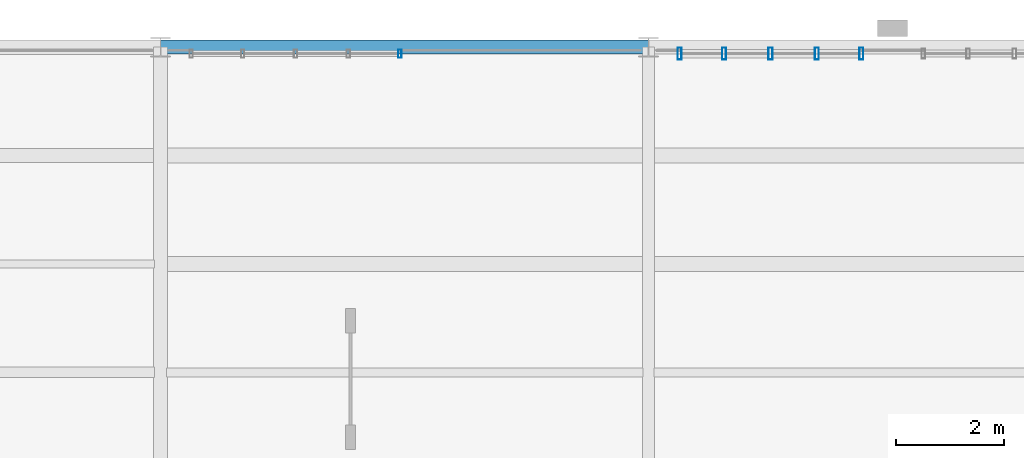
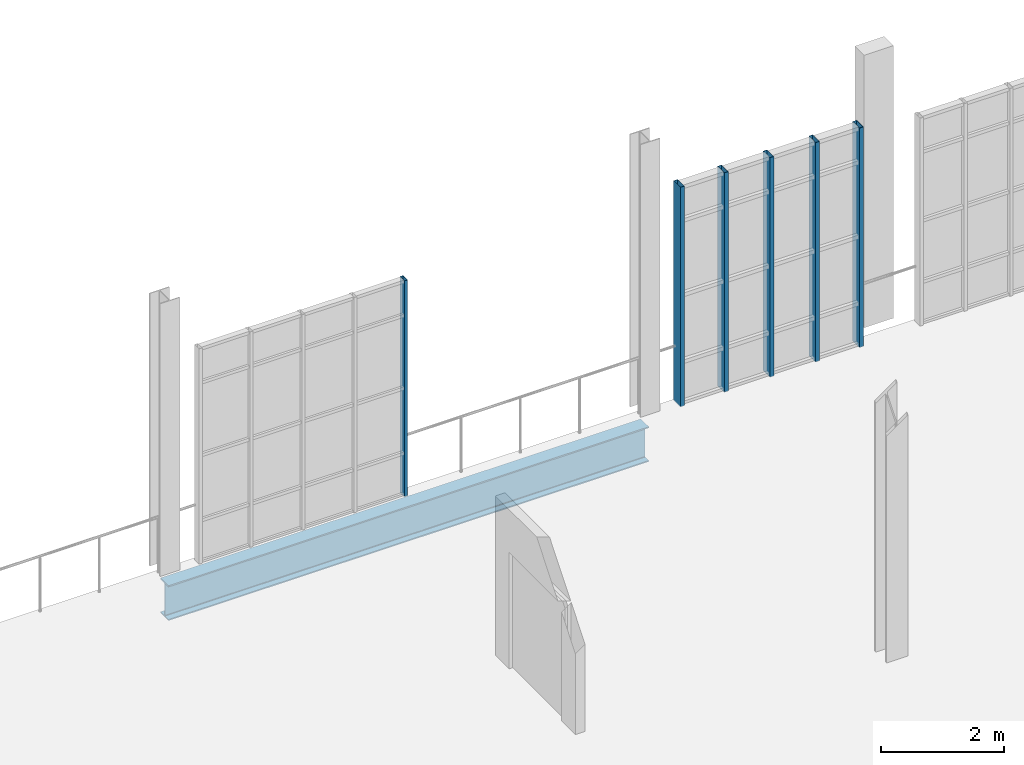
# One storey, part 67 of 142: 6 members, 1 beam, 2 elements without a shape of their own.
"""IFC4 building model written with IfcOpenShell, lengths in metres."""

import ifcopenshell
import ifcopenshell.guid

model = None  # the IFC model being written
_history = None  # IfcOwnerHistory: only IFC2X3 demands one
_inside = {}  # id of a spatial element -> (the spatial element, [elements in it])
_under = {}  # id of a project, library or spatial element -> (it, [spatial elements below it])
_declared = {}  # id of a project -> (the project, [libraries it declares])
_typed = {}  # id of a type object -> (the type object, [elements of that type])
_made_of = {}  # id of a material, layer set ... -> (it, [elements and type objects made of it])


def new_model(schema):
    """Start an empty IFC model of exactly this schema.

    Asked for "IFC4X3", IfcOpenShell would pick the latest addendum, in which some entities
    have other attributes; the version numbers below select the first issue.
    IFC2X3 requires an IfcOwnerHistory on every rooted entity: one is made here for all.
    """
    global model, _history
    if schema == "IFC4X3":
        model = ifcopenshell.file(schema_version=(4, 3, 0, 0))
    else:
        model = ifcopenshell.file(schema=schema)
    _inside.clear()
    _under.clear()
    _declared.clear()
    _typed.clear()
    _made_of.clear()
    _history = None
    if model.schema == "IFC2X3":
        org = make("IfcOrganization", Name="unknown")
        user = make(
            "IfcPersonAndOrganization",
            ThePerson=make("IfcPerson", FamilyName="unknown"),
            TheOrganization=org,
        )
        app = make(
            "IfcApplication",
            ApplicationDeveloper=org,
            Version="unknown",
            ApplicationFullName="unknown",
            ApplicationIdentifier="unknown",
        )
        _history = make(
            "IfcOwnerHistory",
            OwningUser=user,
            OwningApplication=app,
            ChangeAction="ADDED",
            CreationDate=0,
        )
    return model


def make(cls, **values):
    """One entity of the class cls with the attributes given. An attribute that is None is left unset."""
    return model.create_entity(
        cls, **{name: value for name, value in values.items() if value is not None}
    )


def rooted(cls, **values):
    """An entity with a GlobalId (a new one), such as an element, a storey or a relation."""
    return make(cls, GlobalId=ifcopenshell.guid.new(), OwnerHistory=_history, **values)


def si_unit(unit_type, name, prefix=None):
    """IfcSIUnit, for example si_unit("LENGTHUNIT", "METRE", prefix="MILLI")."""
    return make("IfcSIUnit", UnitType=unit_type, Prefix=prefix, Name=name)


def assignment(units):
    """IfcUnitAssignment: the units of a project."""
    return None if units is None else make("IfcUnitAssignment", Units=units)


def point(xyz):
    """IfcCartesianPoint."""
    return None if xyz is None else make("IfcCartesianPoint", Coordinates=xyz)


def direction(xyz):
    """IfcDirection."""
    return None if xyz is None else make("IfcDirection", DirectionRatios=xyz)


def frame(location, z_axis=None, x_axis=None):
    """IfcAxis2Placement3D, a coordinate frame: its origin and axes. An axis left out is left unset."""
    return make(
        "IfcAxis2Placement3D",
        Location=point(location),
        Axis=direction(z_axis),
        RefDirection=direction(x_axis),
    )


def frame_2d(location, x_axis=None):
    """IfcAxis2Placement2D, a coordinate frame in the plane: its origin and x axis."""
    return make(
        "IfcAxis2Placement2D", Location=point(location), RefDirection=direction(x_axis)
    )


def origin():
    """The frame at (0, 0, 0) with its axes left unset."""
    return frame((0.0, 0.0, 0.0))


def origin_2d():
    """The frame at (0, 0) in the plane with its x axis left unset."""
    return frame_2d((0.0, 0.0))


def place(relative_to, where):
    """IfcLocalPlacement: puts the frame where relative to a parent placement (None: the world)."""
    return make(
        "IfcLocalPlacement", PlacementRelTo=relative_to, RelativePlacement=where
    )


def context(
    kind, dimensions, precision=None, world=None, true_north=None, identifier=None
):
    """IfcGeometricRepresentationContext, for example the 3D "Model" context."""
    return make(
        "IfcGeometricRepresentationContext",
        ContextIdentifier=identifier,
        ContextType=kind,
        CoordinateSpaceDimension=dimensions,
        Precision=precision,
        WorldCoordinateSystem=world,
        TrueNorth=true_north,
    )


def subcontext(parent, identifier, kind, view, scale=None):
    """IfcGeometricRepresentationSubContext, for example "Body" below "Model"."""
    return make(
        "IfcGeometricRepresentationSubContext",
        ContextIdentifier=identifier,
        ContextType=kind,
        ParentContext=parent,
        TargetScale=scale,
        TargetView=view,
    )


def project(units=None, contexts=None):
    """IfcProject with its units and contexts."""
    return rooted(
        "IfcProject",
        Name="project",
        RepresentationContexts=contexts,
        UnitsInContext=assignment(units),
    )


def spatial(cls, under=None, at=None, **own):
    """A site, building, storey or space (cls), placed at a placement, below another one or the project."""
    s = rooted(cls, ObjectPlacement=at, **own)
    if under is not None:
        _under.setdefault(under.id(), (under, []))[1].append(s)
    return s


def profile(cls, at=None, kind="AREA", **sizes):
    """A parametric profile (cls). Its sizes go by their IFC names, for example OverallWidth=200.0."""
    return make(cls, ProfileType=kind, Position=at, **sizes)


def hollow_rectangle(**sizes):
    """IfcRectangleHollowProfileDef."""
    return profile("IfcRectangleHollowProfileDef", **sizes)


def i_section(**sizes):
    """IfcIShapeProfileDef."""
    return profile("IfcIShapeProfileDef", **sizes)


def extrude(swept, where, along, depth):
    """IfcExtrudedAreaSolid: the profile swept, set in the frame where, extruded along a direction by depth."""
    return make(
        "IfcExtrudedAreaSolid",
        SweptArea=swept,
        Position=where,
        ExtrudedDirection=direction(along),
        Depth=depth,
    )


def shape(context_of_items, identifier, shape_type, items):
    """IfcShapeRepresentation: the items that make up one representation, for example the "Body"."""
    return make(
        "IfcShapeRepresentation",
        ContextOfItems=context_of_items,
        RepresentationIdentifier=identifier,
        RepresentationType=shape_type,
        Items=items,
    )


def material(Name=None, Category=None):
    """IfcMaterial."""
    return make("IfcMaterial", Name=Name, Category=Category)


def layer(
    of_material, thickness, ventilated=None, Name=None, Category=None, Priority=None
):
    """IfcMaterialLayer: one layer of a wall or slab, of a material (None: an air gap)."""
    return make(
        "IfcMaterialLayer",
        Material=of_material,
        LayerThickness=thickness,
        IsVentilated=ventilated,
        Name=Name,
        Category=Category,
        Priority=Priority,
    )


def layer_set(layers, Name=None):
    """IfcMaterialLayerSet."""
    return make("IfcMaterialLayerSet", MaterialLayers=layers, LayerSetName=Name)


def material_profile(
    of_material, cross_section, Name=None, Category=None, Priority=None
):
    """IfcMaterialProfile: a cross section and its material."""
    return make(
        "IfcMaterialProfile",
        Name=Name,
        Material=of_material,
        Profile=cross_section,
        Priority=Priority,
        Category=Category,
    )


def profile_set(profiles, Name=None, composite=None):
    """IfcMaterialProfileSet."""
    return make(
        "IfcMaterialProfileSet",
        Name=Name,
        MaterialProfiles=profiles,
        CompositeProfile=composite,
    )


def made_of(thing, what):
    """Note that an element or type object is made of a material, layer set ...; save() writes the relation."""
    if what is not None:
        _made_of.setdefault(what.id(), (what, []))[1].append(thing)
    return thing


def type_object(cls, material=None, **own):
    """A type object (cls), such as IfcWallType, which elements share."""
    return made_of(rooted(cls, **own), material)


def element(
    cls,
    number,
    at=None,
    inside=None,
    cuts=None,
    type_object=None,
    material=None,
    context=None,
    identifier="Body",
    shape_type=None,
    held_by="IfcProductDefinitionShape",
    body=None,
    shapes=None,
    **own,
):
    """One element of the class cls, such as IfcWall. Its Tag is "e" and its number.

    at: its placement. inside: the storey or other place that contains it. cuts: it is an
    opening in that element (IfcRelVoidsElement). A single representation is given by context,
    identifier, shape_type and body (its items); several are given by shapes. held_by: the class
    of the entity that holds the representations. save() writes the other relations.
    """
    e = rooted(cls, Tag="e%d" % number, ObjectPlacement=at, **own)
    if body is not None:
        shapes = [shape(context, identifier, shape_type, body)]
    if shapes is not None:
        e.Representation = make(held_by, Representations=shapes)
    if inside is not None:
        _inside.setdefault(inside.id(), (inside, []))[1].append(e)
    if cuts is not None:
        rooted(
            "IfcRelVoidsElement", RelatingBuildingElement=cuts, RelatedOpeningElement=e
        )
    if type_object is not None:
        _typed.setdefault(type_object.id(), (type_object, []))[1].append(e)
    return made_of(e, material)


def aggregate(whole, parts):
    """IfcRelAggregates: a whole, such as a stair, and the parts it consists of."""
    return rooted("IfcRelAggregates", RelatingObject=whole, RelatedObjects=parts)


def save(model, path):
    """Write the relations noted so far, then the file.

    IfcRelAggregates (storeys below a building ...), IfcRelContainedInSpatialStructure (elements
    in a storey), IfcRelDefinesByType, IfcRelAssociatesMaterial and IfcRelDeclares: one each for
    every whole, place, type object, material and project.
    """
    for whole, parts in _under.values():
        aggregate(whole, parts)
    for where, things in _inside.values():
        rooted(
            "IfcRelContainedInSpatialStructure",
            RelatedElements=things,
            RelatingStructure=where,
        )
    for kind, things in _typed.values():
        rooted("IfcRelDefinesByType", RelatedObjects=things, RelatingType=kind)
    for what, things in _made_of.values():
        rooted("IfcRelAssociatesMaterial", RelatedObjects=things, RelatingMaterial=what)
    for by, libraries in _declared.values():
        rooted("IfcRelDeclares", RelatingContext=by, RelatedDefinitions=libraries)
    model.write(path)


model = new_model("IFC4")

# Units and contexts
model_context = context("Model", 3, precision=1e-05, world=origin(), true_north=direction((0.0, 1.0)))
body_context = subcontext(model_context, "Body", "Model", "MODEL_VIEW")
ifc_project = project(units=[si_unit("LENGTHUNIT", "METRE"), si_unit("AREAUNIT", "SQUARE_METRE"), si_unit("VOLUMEUNIT", "CUBIC_METRE"), si_unit("PLANEANGLEUNIT", "RADIAN"), si_unit("MASSUNIT", "GRAM", prefix="KILO"), si_unit("THERMODYNAMICTEMPERATUREUNIT", "KELVIN"), si_unit("POWERUNIT", "WATT")], contexts=[model_context])

# Site, building, storey
site_placement = place(None, origin())
site = spatial("IfcSite", under=ifc_project, at=site_placement, CompositionType="ELEMENT")
building_placement = place(site_placement, origin())
building = spatial("IfcBuilding", under=site, at=building_placement, Name="Zelmaris Science Centre", CompositionType="ELEMENT")
storey_placement = place(building_placement, frame((0.0, 0.0, 5.39990234375)))
storey = spatial("IfcBuildingStorey", under=building, at=storey_placement, Name="L01", CompositionType="ELEMENT", Elevation=5.39990234375)

# Curtain wall, member
ifc_material_1 = material(Name="Anodised architectural aluminium 6063-T6", Category="aluminium")
ifc_layer_1 = layer(ifc_material_1, 0.219970703125, Name="Anodised architectural aluminium 6063-T6")
ifc_layer_set_1 = layer_set([ifc_layer_1], Name="Anodised architectural aluminium 6063-T6")
curtain_wall_type_1 = type_object("IfcCurtainWallType", Name="Curtain Wall CW-04", PredefinedType="USERDEFINED", material=ifc_layer_set_1)
curtain_wall_1_placement = place(storey_placement, origin())
curtain_wall_1 = element("IfcCurtainWall", 1, at=curtain_wall_1_placement, inside=storey, type_object=curtain_wall_type_1, Name="L01 Unitised curtain wall 136", ObjectType="GLAZED CURTAIN WALL", PredefinedType="USERDEFINED")
ifc_material_profile_1 = material_profile(ifc_material_1, hollow_rectangle(XDim=0.06005859375, YDim=0.14990234375, WallThickness=0.00341796875, at=origin_2d()), Name="ALU-MUL-60X150")
ifc_profile_set_1 = profile_set([ifc_material_profile_1], Name="Anodised architectural aluminium 6063-T6")
member_type_1 = type_object("IfcMemberType", Name="ALU-MUL-60X150", PredefinedType="MULLION", material=ifc_profile_set_1)
member_1_placement = place(storey_placement, frame((85.4140625, 87.8798828125, -0.014892578125), z_axis=(0.0, 0.0, 1.0), x_axis=(1.0, 0.0, 0.0)))
member_1 = element("IfcMember", 2, at=member_1_placement, type_object=member_type_1, Name="CW-04 mullion 5", PredefinedType="MULLION", context=body_context, shape_type="SweptSolid", body=[
    extrude(hollow_rectangle(XDim=0.06005859375, YDim=0.14990234375, WallThickness=0.00341796875, at=origin_2d()), origin(), (0.0, 0.0, 1.0), 4.279052734375),
])
aggregate(curtain_wall_1, [member_1])

# Curtain wall, members
ifc_layer_2 = layer(ifc_material_1, 0.199951171875, Name="Anodised architectural aluminium 6063-T6")
ifc_layer_set_2 = layer_set([ifc_layer_2], Name="Anodised architectural aluminium 6063-T6")
curtain_wall_type_2 = type_object("IfcCurtainWallType", Name="Curtain Wall CW-02", PredefinedType="USERDEFINED", material=ifc_layer_set_2)
curtain_wall_2_placement = place(storey_placement, origin())
curtain_wall_2 = element("IfcCurtainWall", 3, at=curtain_wall_2_placement, inside=storey, type_object=curtain_wall_type_2, Name="L01 Unitised curtain wall 138", ObjectType="GLAZED CURTAIN WALL", PredefinedType="USERDEFINED")
ifc_material_profile_2 = material_profile(ifc_material_1, hollow_rectangle(XDim=0.074951171875, YDim=0.219970703125, WallThickness=0.0048828125, at=origin_2d()), Name="ALU-MUL-75X220")
ifc_profile_set_2 = profile_set([ifc_material_profile_2], Name="Anodised architectural aluminium 6063-T6")
member_type_2 = type_object("IfcMemberType", Name="ALU-MUL-75X220", PredefinedType="MULLION", material=ifc_profile_set_2)
member_2_placement = place(storey_placement, frame((90.573486328125, 87.8798828125, -0.014892578125), z_axis=(0.0, 0.0, 1.0), x_axis=(1.0, 0.0, 0.0)))
member_2 = element("IfcMember", 4, at=member_2_placement, type_object=member_type_2, Name="CW-02 mullion 1", PredefinedType="MULLION", context=body_context, shape_type="SweptSolid", body=[
    extrude(hollow_rectangle(XDim=0.074951171875, YDim=0.219970703125, WallThickness=0.0048828125, at=origin_2d()), origin(), (0.0, 0.0, 1.0), 4.35009765625),
])
member_3_placement = place(storey_placement, frame((91.39501953125, 87.8798828125, -0.014892578125), z_axis=(0.0, 0.0, 1.0), x_axis=(1.0, 0.0, 0.0)))
member_3 = element("IfcMember", 5, at=member_3_placement, type_object=member_type_2, Name="CW-02 mullion 2", PredefinedType="MULLION", context=body_context, shape_type="SweptSolid", body=[
    extrude(hollow_rectangle(XDim=0.074951171875, YDim=0.219970703125, WallThickness=0.0048828125, at=origin_2d()), origin(), (0.0, 0.0, 1.0), 4.35009765625),
])
member_4_placement = place(storey_placement, frame((92.25, 87.8798828125, -0.014892578125), z_axis=(0.0, 0.0, 1.0), x_axis=(1.0, 0.0, 0.0)))
member_4 = element("IfcMember", 6, at=member_4_placement, type_object=member_type_2, Name="CW-02 mullion 3", PredefinedType="MULLION", context=body_context, shape_type="SweptSolid", body=[
    extrude(hollow_rectangle(XDim=0.074951171875, YDim=0.219970703125, WallThickness=0.0048828125, at=origin_2d()), origin(), (0.0, 0.0, 1.0), 4.35009765625),
])
member_5_placement = place(storey_placement, frame((93.10498046875, 87.8798828125, -0.014892578125), z_axis=(0.0, 0.0, 1.0), x_axis=(1.0, 0.0, 0.0)))
member_5 = element("IfcMember", 7, at=member_5_placement, type_object=member_type_2, Name="CW-02 mullion 4", PredefinedType="MULLION", context=body_context, shape_type="SweptSolid", body=[
    extrude(hollow_rectangle(XDim=0.074951171875, YDim=0.219970703125, WallThickness=0.0048828125, at=origin_2d()), origin(), (0.0, 0.0, 1.0), 4.35009765625),
])
member_6_placement = place(storey_placement, frame((93.926513671875, 87.8798828125, -0.014892578125), z_axis=(0.0, 0.0, 1.0), x_axis=(1.0, 0.0, 0.0)))
member_6 = element("IfcMember", 8, at=member_6_placement, type_object=member_type_2, Name="CW-02 mullion 5", PredefinedType="MULLION", context=body_context, shape_type="SweptSolid", body=[
    extrude(hollow_rectangle(XDim=0.074951171875, YDim=0.219970703125, WallThickness=0.0048828125, at=origin_2d()), origin(), (0.0, 0.0, 1.0), 4.35009765625),
])
aggregate(curtain_wall_2, [member_2, member_3, member_4, member_5, member_6])

# Beam
ifc_material_2 = material(Name="Steel ASTM A992 Grade 50", Category="steel")
ifc_material_profile_3 = material_profile(ifc_material_2, i_section(OverallWidth=0.257080078125, OverallDepth=0.693115234375, WebThickness=0.014404296875, FlangeThickness=0.023681640625, FilletRadius=0.01806640625, at=origin_2d()), Name="W27X114")
ifc_profile_set_3 = profile_set([ifc_material_profile_3], Name="Steel ASTM A992 Grade 50")
beam_type = type_object("IfcBeamType", Name="Beam G-12 W27X114", PredefinedType="BEAM", material=ifc_profile_set_3)
beam_placement = place(storey_placement, frame((81.0, 88.0, -0.62646484375), z_axis=(1.0, 0.0, 0.0), x_axis=(0.0, 1.0, 0.0)))
element("IfcBeam", 9, at=beam_placement, inside=storey, type_object=beam_type, Name="L01 East-west girder 409", PredefinedType="BEAM", context=body_context, shape_type="SweptSolid", body=[
    extrude(i_section(OverallWidth=0.257080078125, OverallDepth=0.693115234375, WebThickness=0.014404296875, FlangeThickness=0.023681640625, FilletRadius=0.01806640625, at=origin_2d()), origin(), (0.0, 0.0, 1.0), 9.0),
])

save(model, "model.ifc")
